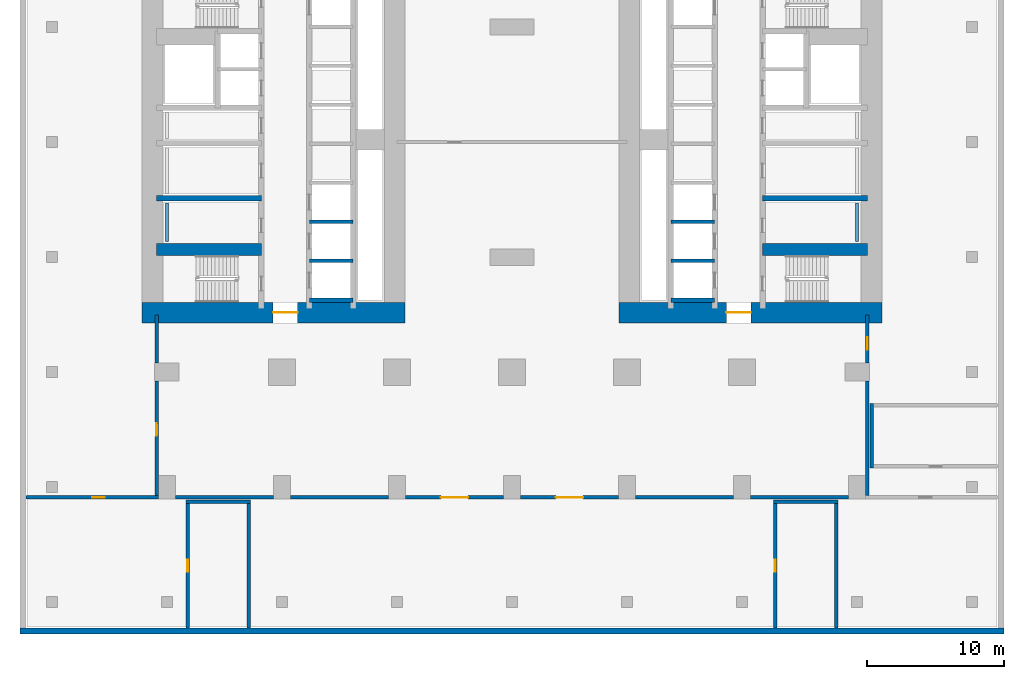
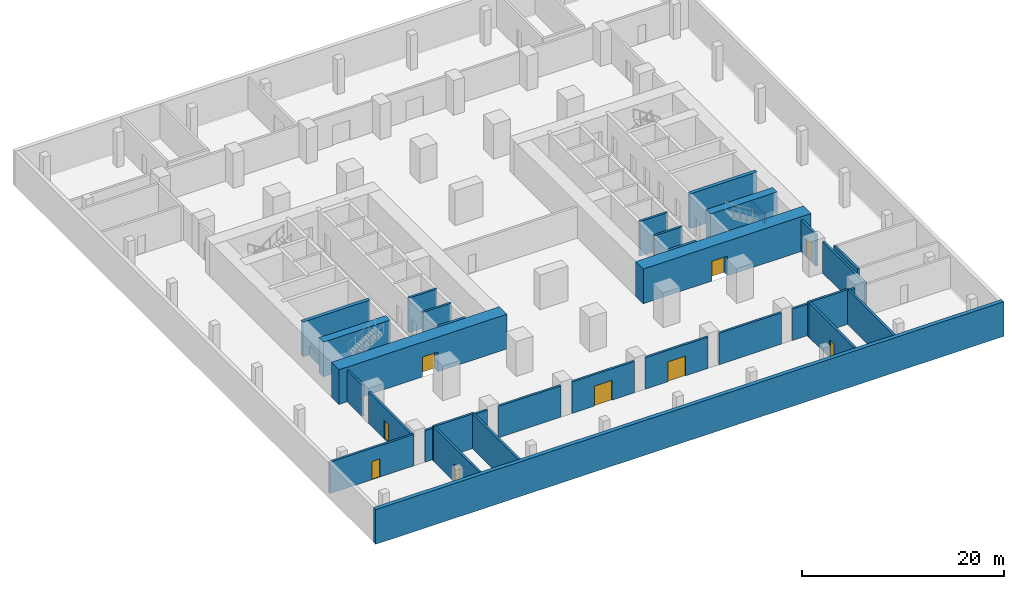
# One storey, part 2 of 8: 33 walls, 9 doors, 9 openings.
"""IFC4 building model written with IfcOpenShell, lengths in metres."""

from ifc_helpers import new_model, si_unit, direction, frame, frame_2d, origin, place, context, subcontext, project, spatial, rectangle, extrude, material, layer, layer_set, type_object, element, fill, save


model = new_model("IFC4")

# Units and contexts
model_context = context("Model", 3, precision=1e-05, world=origin(), true_north=direction((0.0, 1.0)))
body_context = subcontext(model_context, "Body", "Model", "MODEL_VIEW")
ifc_project = project(units=[si_unit("LENGTHUNIT", "METRE"), si_unit("AREAUNIT", "SQUARE_METRE"), si_unit("VOLUMEUNIT", "CUBIC_METRE"), si_unit("PLANEANGLEUNIT", "RADIAN"), si_unit("MASSUNIT", "GRAM", prefix="KILO")], contexts=[model_context])

# Site, building, storey
site_placement = place(None, origin())
site = spatial("IfcSite", under=ifc_project, at=site_placement, CompositionType="ELEMENT")
building_placement = place(site_placement, origin())
building = spatial("IfcBuilding", under=site, at=building_placement, Name="Claustro Exchange Tower", CompositionType="ELEMENT")
storey_placement = place(building_placement, frame((0.0, 0.0, -4.199951171875)))
storey = spatial("IfcBuildingStorey", under=building, at=storey_placement, Name="B1", CompositionType="ELEMENT", Elevation=-4.199951171875)

# Wall, opening, door
ifc_material_1 = material(Name="Concrete blockwork, rendered", Category="masonry")
ifc_layer_1 = layer(ifc_material_1, 0.25)
ifc_layer_set_1 = layer_set([ifc_layer_1], Name="Concrete blockwork, rendered")
wall_type_1 = type_object("IfcWallType", Name="P4 250 blockwork wall", PredefinedType="PARTITIONING", material=ifc_layer_set_1)
wall_1_placement = place(storey_placement, frame((-10.27587890625, -0.75, 0.0), z_axis=(0.0, 0.0, 1.0), x_axis=(1.0, 0.0, 0.0)))
wall_1 = element("IfcWall", 1, at=wall_1_placement, inside=storey, type_object=wall_type_1, Name="Partition P4 B1", PredefinedType="PARTITIONING", context=body_context, shape_type="SweptSolid", body=[
    extrude(rectangle(XDim=9.65185546875, YDim=0.25, at=frame_2d((4.825927734375, 0.0))), origin(), (0.0, 0.0, 1.0), 3.800048828125),
])
opening_1_placement = place(wall_1_placement, frame((4.825927734375, 0.0, 0.0)))
opening_1 = element("IfcOpeningElement", 2, at=opening_1_placement, cuts=wall_1, Name="Opening D12", PredefinedType="OPENING", context=body_context, shape_type="SweptSolid", body=[
    extrude(rectangle(XDim=0.89990234375, YDim=2.199951171875, at=frame_2d((0.449951171875, 1.10009765625))), frame((0.0, 0.135009765625, 0.0), z_axis=(0.0, -1.0, 0.0), x_axis=(1.0, 0.0, 0.0)), (0.0, 0.0, 1.0), 0.27001953125),
])
ifc_material_2 = material(Name="Steel door, painted", Category="steel")
door_type_1 = type_object("IfcDoorType", Name="D12 900 x 2200 plant and store room door", OperationType="SINGLE_SWING_LEFT", PredefinedType="DOOR", material=ifc_material_2)
door_1_placement = place(opening_1_placement, origin())
door_1 = element("IfcDoor", 3, at=door_1_placement, inside=storey, type_object=door_type_1, Name="Door D12 B1", OperationType="SINGLE_SWING_RIGHT", OverallHeight=2.199951171875, OverallWidth=0.89990234375, PredefinedType="DOOR", context=body_context, shape_type="SweptSolid", body=[
    extrude(rectangle(XDim=0.89990234375, YDim=2.199951171875, at=frame_2d((0.449951171875, 1.10009765625))), frame((0.0, 0.02490234375, 0.0), z_axis=(0.0, -1.0, 0.0), x_axis=(1.0, 0.0, 0.0)), (0.0, 0.0, 1.0), 0.050048828125),
])
fill(opening_1, door_1)

# Walls
wall_2_placement = place(storey_placement, frame((0.6240234375, -0.75, 0.0), z_axis=(0.0, 0.0, 1.0), x_axis=(1.0, 0.0, 0.0)))
element("IfcWall", 4, at=wall_2_placement, inside=storey, type_object=wall_type_1, Name="Partition P4 B1", PredefinedType="PARTITIONING", context=body_context, shape_type="SweptSolid", body=[
    extrude(rectangle(XDim=7.15185546875, YDim=0.25, at=frame_2d((3.575927734375, 0.0))), origin(), (0.0, 0.0, 1.0), 3.800048828125),
])
wall_3_placement = place(storey_placement, frame((9.02392578125, -0.75, 0.0), z_axis=(0.0, 0.0, 1.0), x_axis=(1.0, 0.0, 0.0)))
element("IfcWall", 5, at=wall_3_placement, inside=storey, type_object=wall_type_1, Name="Partition P4 B1", PredefinedType="PARTITIONING", context=body_context, shape_type="SweptSolid", body=[
    extrude(rectangle(XDim=7.152099609375, YDim=0.25, at=frame_2d((3.576171875, 0.0))), origin(), (0.0, 0.0, 1.0), 3.800048828125),
])

# Wall, opening, door
wall_4_placement = place(storey_placement, frame((17.424072265625, -0.75, 0.0), z_axis=(0.0, 0.0, 1.0), x_axis=(1.0, 0.0, 0.0)))
wall_4 = element("IfcWall", 6, at=wall_4_placement, inside=storey, type_object=wall_type_1, Name="Partition P4 B1", PredefinedType="PARTITIONING", context=body_context, shape_type="SweptSolid", body=[
    extrude(rectangle(XDim=7.15185546875, YDim=0.25, at=frame_2d((3.575927734375, 0.0))), origin(), (0.0, 0.0, 1.0), 3.800048828125),
])
opening_2_placement = place(wall_4_placement, frame((2.575927734375, 0.0, 0.0)))
opening_2 = element("IfcOpeningElement", 7, at=opening_2_placement, cuts=wall_4, Name="Opening D9", PredefinedType="OPENING", context=body_context, shape_type="SweptSolid", body=[
    extrude(rectangle(XDim=2.0, YDim=2.39990234375, at=frame_2d((1.0, 1.199951171875))), frame((0.0, 0.135009765625, 0.0), z_axis=(0.0, -1.0, 0.0), x_axis=(1.0, 0.0, 0.0)), (0.0, 0.0, 1.0), 0.27001953125),
])
ifc_material_3 = material(Name="Steel fire door, painted", Category="steel")
door_type_2 = type_object("IfcDoorType", Name="D9 2000 x 2400 plant room double door", OperationType="DOUBLE_DOOR_SINGLE_SWING", PredefinedType="DOOR", material=ifc_material_3)
door_2_placement = place(opening_2_placement, origin())
door_2 = element("IfcDoor", 8, at=door_2_placement, inside=storey, type_object=door_type_2, Name="Double door D9 B1", OperationType="DOUBLE_DOOR_SINGLE_SWING", OverallHeight=2.39990234375, OverallWidth=2.0, PredefinedType="DOOR", context=body_context, shape_type="SweptSolid", body=[
    extrude(rectangle(XDim=2.0, YDim=2.39990234375, at=frame_2d((1.0, 1.199951171875))), frame((0.0, 0.02490234375, 0.0), z_axis=(0.0, -1.0, 0.0), x_axis=(1.0, 0.0, 0.0)), (0.0, 0.0, 1.0), 0.050048828125),
])
fill(opening_2, door_2)

wall_5_placement = place(storey_placement, frame((25.823974609375, -0.75, 0.0), z_axis=(0.0, 0.0, 1.0), x_axis=(1.0, 0.0, 0.0)))
wall_5 = element("IfcWall", 9, at=wall_5_placement, inside=storey, type_object=wall_type_1, Name="Partition P4 B1", PredefinedType="PARTITIONING", context=body_context, shape_type="SweptSolid", body=[
    extrude(rectangle(XDim=7.152099609375, YDim=0.25, at=frame_2d((3.576171875, 0.0))), origin(), (0.0, 0.0, 1.0), 3.800048828125),
])
opening_3_placement = place(wall_5_placement, frame((2.575927734375, 0.0, 0.0)))
opening_3 = element("IfcOpeningElement", 10, at=opening_3_placement, cuts=wall_5, Name="Opening D9", PredefinedType="OPENING", context=body_context, shape_type="SweptSolid", body=[
    extrude(rectangle(XDim=2.0, YDim=2.39990234375, at=frame_2d((1.0, 1.199951171875))), frame((0.0, 0.135009765625, 0.0), z_axis=(0.0, -1.0, 0.0), x_axis=(1.0, 0.0, 0.0)), (0.0, 0.0, 1.0), 0.27001953125),
])
door_3_placement = place(opening_3_placement, origin())
door_3 = element("IfcDoor", 11, at=door_3_placement, inside=storey, type_object=door_type_2, Name="Double door D9 B1", OperationType="DOUBLE_DOOR_SINGLE_SWING", OverallHeight=2.39990234375, OverallWidth=2.0, PredefinedType="DOOR", context=body_context, shape_type="SweptSolid", body=[
    extrude(rectangle(XDim=2.0, YDim=2.39990234375, at=frame_2d((1.0, 1.199951171875))), frame((0.0, 0.02490234375, 0.0), z_axis=(0.0, -1.0, 0.0), x_axis=(1.0, 0.0, 0.0)), (0.0, 0.0, 1.0), 0.050048828125),
])
fill(opening_3, door_3)

# Walls
for number, where, z_axis, x_axis, name in (
    (12, (34.22412109375, -0.75, 0.0), (0.0, 0.0, 1.0), (1.0, 0.0, 0.0), "Partition P4 B1"),
    (13, (42.6240234375, -0.75, 0.0), (0.0, 0.0, 1.0), (1.0, 0.0, 0.0), "Partition P4 B1"),
):
    element("IfcWall", number, at=place(storey_placement, frame(where, z_axis=z_axis, x_axis=x_axis)), inside=storey, type_object=wall_type_1, Name=name, PredefinedType="PARTITIONING", context=body_context, shape_type="SweptSolid", body=[
        extrude(rectangle(XDim=7.15185546875, YDim=0.25, at=frame_2d((3.575927734375, 0.0))), origin(), (0.0, 0.0, 1.0), 3.800048828125),
    ])

# Wall, opening, door
wall_6_placement = place(storey_placement, frame((-0.75, -0.6259765625, 0.0), z_axis=(0.0, 0.0, 1.0), x_axis=(0.0, 1.0, 0.0)))
wall_6 = element("IfcWall", 14, at=wall_6_placement, inside=storey, type_object=wall_type_1, Name="Partition P4 B1", PredefinedType="PARTITIONING", context=body_context, shape_type="SweptSolid", body=[
    extrude(rectangle(XDim=8.376953125, YDim=0.25, at=frame_2d((4.1884765625, 0.0))), origin(), (0.0, 0.0, 1.0), 3.800048828125),
])
opening_4_placement = place(wall_6_placement, frame((4.3759765625, 0.0, 0.0)))
opening_4 = element("IfcOpeningElement", 15, at=opening_4_placement, cuts=wall_6, Name="Opening D12", PredefinedType="OPENING", context=body_context, shape_type="SweptSolid", body=[
    extrude(rectangle(XDim=0.89990234375, YDim=2.199951171875, at=frame_2d((0.449951171875, 1.10009765625))), frame((0.0, 0.135009765625, 0.0), z_axis=(0.0, -1.0, 0.0), x_axis=(1.0, 0.0, 0.0)), (0.0, 0.0, 1.0), 0.27001953125),
])
door_4_placement = place(opening_4_placement, origin())
door_4 = element("IfcDoor", 16, at=door_4_placement, inside=storey, type_object=door_type_1, Name="Door D12 B1", OperationType="SINGLE_SWING_LEFT", OverallHeight=2.199951171875, OverallWidth=0.89990234375, PredefinedType="DOOR", context=body_context, shape_type="SweptSolid", body=[
    extrude(rectangle(XDim=0.89990234375, YDim=2.199951171875, at=frame_2d((0.449951171875, 1.10009765625))), frame((0.0, 0.02490234375, 0.0), z_axis=(0.0, -1.0, 0.0), x_axis=(1.0, 0.0, 0.0)), (0.0, 0.0, 1.0), 0.050048828125),
])
fill(opening_4, door_4)

# Walls
wall_7_placement = place(storey_placement, frame((-0.75, 9.049072265625, 0.0), z_axis=(0.0, 0.0, 1.0), x_axis=(0.0, 1.0, 0.0)))
element("IfcWall", 17, at=wall_7_placement, inside=storey, type_object=wall_type_1, Name="Partition P4 B1", PredefinedType="PARTITIONING", context=body_context, shape_type="SweptSolid", body=[
    extrude(rectangle(XDim=3.531005859375, YDim=0.25, at=frame_2d((1.765625, 0.0))), origin(), (0.0, 0.0, 1.0), 3.800048828125),
])
wall_8_placement = place(storey_placement, frame((51.14990234375, -0.6259765625, 0.0), z_axis=(0.0, 0.0, 1.0), x_axis=(0.0, 1.0, 0.0)))
element("IfcWall", 18, at=wall_8_placement, inside=storey, type_object=wall_type_1, Name="Partition P4 B1", PredefinedType="PARTITIONING", context=body_context, shape_type="SweptSolid", body=[
    extrude(rectangle(XDim=8.376953125, YDim=0.25, at=frame_2d((4.1884765625, 0.0))), origin(), (0.0, 0.0, 1.0), 3.800048828125),
])

# Wall, opening, door
wall_9_placement = place(storey_placement, frame((51.14990234375, 9.049072265625, 0.0), z_axis=(0.0, 0.0, 1.0), x_axis=(0.0, 1.0, 0.0)))
wall_9 = element("IfcWall", 19, at=wall_9_placement, inside=storey, type_object=wall_type_1, Name="Partition P4 B1", PredefinedType="PARTITIONING", context=body_context, shape_type="SweptSolid", body=[
    extrude(rectangle(XDim=3.531005859375, YDim=0.25, at=frame_2d((1.765625, 0.0))), origin(), (0.0, 0.0, 1.0), 3.800048828125),
])
opening_5_placement = place(wall_9_placement, frame((1.0009765625, 0.0, 0.0)))
opening_5 = element("IfcOpeningElement", 20, at=opening_5_placement, cuts=wall_9, Name="Opening D12", PredefinedType="OPENING", context=body_context, shape_type="SweptSolid", body=[
    extrude(rectangle(XDim=0.89990234375, YDim=2.199951171875, at=frame_2d((0.449951171875, 1.10009765625))), frame((0.0, 0.135009765625, 0.0), z_axis=(0.0, -1.0, 0.0), x_axis=(1.0, 0.0, 0.0)), (0.0, 0.0, 1.0), 0.27001953125),
])
door_5_placement = place(opening_5_placement, frame((0.89990234375, 0.0, 0.0), z_axis=(0.0, 0.0, 1.0), x_axis=(-1.0, 0.0, 0.0)))
door_5 = element("IfcDoor", 21, at=door_5_placement, inside=storey, type_object=door_type_1, Name="Door D12 B1", OperationType="SINGLE_SWING_LEFT", OverallHeight=2.199951171875, OverallWidth=0.89990234375, PredefinedType="DOOR", context=body_context, shape_type="SweptSolid", body=[
    extrude(rectangle(XDim=0.89990234375, YDim=2.199951171875, at=frame_2d((0.449951171875, 1.10009765625))), frame((0.0, 0.02490234375, 0.0), z_axis=(0.0, -1.0, 0.0), x_axis=(1.0, 0.0, 0.0)), (0.0, 0.0, 1.0), 0.050048828125),
])
fill(opening_5, door_5)

# Walls
ifc_material_4 = material(Name="Gypsum board on steel studs, tiled", Category="steel")
ifc_layer_2 = layer(ifc_material_4, 0.199951171875)
ifc_layer_set_2 = layer_set([ifc_layer_2], Name="Gypsum board on steel studs, tiled")
wall_type_2 = type_object("IfcWallType", Name="PW1 200 WC duct wall", PredefinedType="PLUMBINGWALL", material=ifc_layer_set_2)
for number, where, z_axis, x_axis, name in (
    (22, (50.39990234375, 17.949951171875, 0.0), (0.0, 0.0, 1.0), (0.0, 1.0, 0.0), "WC duct wall PW1 B1"),
    (23, (0.0, 17.949951171875, 0.0), (0.0, 0.0, 1.0), (0.0, 1.0, 0.0), "WC duct wall PW1 B1"),
):
    element("IfcWall", number, at=place(storey_placement, frame(where, z_axis=z_axis, x_axis=x_axis)), inside=storey, type_object=wall_type_2, Name=name, PredefinedType="PLUMBINGWALL", context=body_context, shape_type="SweptSolid", body=[
        extrude(rectangle(XDim=2.800048828125, YDim=0.199951171875, at=frame_2d((1.39990234375, 0.0))), origin(), (0.0, 0.0, 1.0), 1.199951171875),
    ])
ifc_material_5 = material(Name="Concrete HA-40 (C40/50)", Category="concrete")
ifc_layer_3 = layer(ifc_material_5, 0.449951171875)
ifc_layer_set_3 = layer_set([ifc_layer_3], Name="Concrete HA-40 (C40/50)")
wall_type_3 = type_object("IfcWallType", Name="RW2 450 basement retaining wall", PredefinedType="SOLIDWALL", material=ifc_layer_set_3)
wall_10_placement = place(storey_placement, frame((-10.72509765625, -10.5, 0.0), z_axis=(0.0, 0.0, 1.0), x_axis=(1.0, 0.0, 0.0)))
element("IfcWall", 24, at=wall_10_placement, inside=storey, type_object=wall_type_3, Name="Retaining wall RW2 S B1", PredefinedType="SOLIDWALL", context=body_context, shape_type="SweptSolid", body=[
    extrude(rectangle(XDim=71.85009765625, YDim=0.449951171875, at=frame_2d((35.925048828125, 0.0))), origin(), (0.0, 0.0, 1.0), 4.199951171875),
])

# Wall, opening, door
ifc_material_6 = material(Name="Concrete HA-70 (C70/85)", Category="concrete")
ifc_layer_4 = layer(ifc_material_6, 1.5)
ifc_layer_set_4 = layer_set([ifc_layer_4], Name="Concrete HA-70 (C70/85)")
wall_type_4 = type_object("IfcWallType", Name="SW10 1500 core shear wall", PredefinedType="SHEAR", material=ifc_layer_set_4)
wall_11_placement = place(storey_placement, frame((-1.800048828125, 12.75, 0.0), z_axis=(0.0, 0.0, 1.0), x_axis=(1.0, 0.0, 0.0)))
wall_11 = element("IfcWall", 25, at=wall_11_placement, inside=storey, type_object=wall_type_4, Name="Core wall SW10 W core S face B1", PredefinedType="SHEAR", context=body_context, shape_type="SweptSolid", body=[
    extrude(rectangle(XDim=19.199951171875, YDim=1.5, at=frame_2d((9.60009765625, 0.0))), origin(), (0.0, 0.0, 1.0), 4.199951171875),
])
opening_6_placement = place(wall_11_placement, frame((9.550048828125, 0.0, 0.0)))
opening_6 = element("IfcOpeningElement", 26, at=opening_6_placement, cuts=wall_11, Name="Opening D3", PredefinedType="OPENING", context=body_context, shape_type="SweptSolid", body=[
    extrude(rectangle(XDim=1.800048828125, YDim=2.39990234375, at=frame_2d((0.89990234375, 1.199951171875))), frame((0.0, 0.760009765625, 0.0), z_axis=(0.0, -1.0, 0.0), x_axis=(1.0, 0.0, 0.0)), (0.0, 0.0, 1.0), 1.52001953125),
])
ifc_material_7 = material(Name="Steel fire door, painted", Category="steel")
door_type_3 = type_object("IfcDoorType", Name="D3 1800 x 2400 fire-rated lobby double door", OperationType="DOUBLE_DOOR_SINGLE_SWING", PredefinedType="DOOR", material=ifc_material_7)
door_6_placement = place(opening_6_placement, frame((1.800048828125, 0.0, 0.0), z_axis=(0.0, 0.0, 1.0), x_axis=(-1.0, 0.0, 0.0)))
door_6 = element("IfcDoor", 27, at=door_6_placement, inside=storey, type_object=door_type_3, Name="Lift lobby door D3 B1", OperationType="DOUBLE_DOOR_SINGLE_SWING", OverallHeight=2.39990234375, OverallWidth=1.800048828125, PredefinedType="DOOR", context=body_context, shape_type="SweptSolid", body=[
    extrude(rectangle(XDim=1.800048828125, YDim=2.39990234375, at=frame_2d((0.89990234375, 1.199951171875))), frame((0.0, 0.02490234375, 0.0), z_axis=(0.0, -1.0, 0.0), x_axis=(1.0, 0.0, 0.0)), (0.0, 0.0, 1.0), 0.050048828125),
])
fill(opening_6, door_6)

wall_12_placement = place(storey_placement, frame((33.0, 12.75, 0.0), z_axis=(0.0, 0.0, 1.0), x_axis=(1.0, 0.0, 0.0)))
wall_12 = element("IfcWall", 28, at=wall_12_placement, inside=storey, type_object=wall_type_4, Name="Core wall SW10 E core S face B1", PredefinedType="SHEAR", context=body_context, shape_type="SweptSolid", body=[
    extrude(rectangle(XDim=19.199951171875, YDim=1.5, at=frame_2d((9.60009765625, 0.0))), origin(), (0.0, 0.0, 1.0), 4.199951171875),
])
opening_7_placement = place(wall_12_placement, frame((7.85009765625, 0.0, 0.0)))
opening_7 = element("IfcOpeningElement", 29, at=opening_7_placement, cuts=wall_12, Name="Opening D3", PredefinedType="OPENING", context=body_context, shape_type="SweptSolid", body=[
    extrude(rectangle(XDim=1.800048828125, YDim=2.39990234375, at=frame_2d((0.89990234375, 1.199951171875))), frame((0.0, 0.760009765625, 0.0), z_axis=(0.0, -1.0, 0.0), x_axis=(1.0, 0.0, 0.0)), (0.0, 0.0, 1.0), 1.52001953125),
])
door_7_placement = place(opening_7_placement, frame((1.800048828125, 0.0, 0.0), z_axis=(0.0, 0.0, 1.0), x_axis=(-1.0, 0.0, 0.0)))
door_7 = element("IfcDoor", 30, at=door_7_placement, inside=storey, type_object=door_type_3, Name="Lift lobby door D3 B1", OperationType="DOUBLE_DOOR_SINGLE_SWING", OverallHeight=2.39990234375, OverallWidth=1.800048828125, PredefinedType="DOOR", context=body_context, shape_type="SweptSolid", body=[
    extrude(rectangle(XDim=1.800048828125, YDim=2.39990234375, at=frame_2d((0.89990234375, 1.199951171875))), frame((0.0, 0.02490234375, 0.0), z_axis=(0.0, -1.0, 0.0), x_axis=(1.0, 0.0, 0.0)), (0.0, 0.0, 1.0), 0.050048828125),
])
fill(opening_7, door_7)

# Walls
ifc_material_8 = material(Name="Concrete HA-70 (C70/85)", Category="concrete")
ifc_layer_5 = layer(ifc_material_8, 0.39990234375)
ifc_layer_set_5 = layer_set([ifc_layer_5], Name="Concrete HA-70 (C70/85)")
wall_type_5 = type_object("IfcWallType", Name="SW4B 400 internal core wall HA-70", PredefinedType="SHEAR", material=ifc_layer_set_5)
for number, where, z_axis, x_axis, name in (
    (31, (-0.75, 21.10009765625, 0.0), (0.0, 0.0, 1.0), (1.0, 0.0, 0.0), "Internal core wall SW4 W core B1"),
    (32, (51.14990234375, 21.10009765625, 0.0), (0.0, 0.0, 1.0), (-1.0, 0.0, 0.0), "Internal core wall SW4 E core B1"),
):
    element("IfcWall", number, at=place(storey_placement, frame(where, z_axis=z_axis, x_axis=x_axis)), inside=storey, type_object=wall_type_5, Name=name, PredefinedType="SHEAR", context=body_context, shape_type="SweptSolid", body=[
        extrude(rectangle(XDim=7.64990234375, YDim=0.39990234375, at=frame_2d((3.824951171875, 0.0))), origin(), (0.0, 0.0, 1.0), 4.199951171875),
    ])
ifc_material_9 = material(Name="Concrete HA-50 (C50/60)", Category="concrete")
ifc_layer_6 = layer(ifc_material_9, 0.25)
ifc_layer_set_6 = layer_set([ifc_layer_6], Name="Concrete HA-50 (C50/60)")
wall_type_6 = type_object("IfcWallType", Name="SW5 250 lift shaft divider wall", PredefinedType="SHEAR", material=ifc_layer_set_6)
for number, where, z_axis, x_axis, name in (
    (33, (10.39990234375, 16.52490234375, 0.0), (0.0, 0.0, 1.0), (1.0, 0.0, 0.0), "Lift shaft wall W core B1"),
    (34, (10.39990234375, 19.375, 0.0), (0.0, 0.0, 1.0), (1.0, 0.0, 0.0), "Lift shaft wall W core B1"),
):
    element("IfcWall", number, at=place(storey_placement, frame(where, z_axis=z_axis, x_axis=x_axis)), inside=storey, type_object=wall_type_6, Name=name, PredefinedType="SHEAR", context=body_context, shape_type="SweptSolid", body=[
        extrude(rectangle(XDim=3.2001953125, YDim=0.25, at=frame_2d((1.60009765625, 0.0))), origin(), (0.0, 0.0, 1.0), 4.199951171875),
    ])
for number, where, z_axis, x_axis, name in (
    (35, (40.0, 16.52490234375, 0.0), (0.0, 0.0, 1.0), (-1.0, 0.0, 0.0), "Lift shaft wall E core B1"),
    (36, (40.0, 19.375, 0.0), (0.0, 0.0, 1.0), (-1.0, 0.0, 0.0), "Lift shaft wall E core B1"),
):
    element("IfcWall", number, at=place(storey_placement, frame(where, z_axis=z_axis, x_axis=x_axis)), inside=storey, type_object=wall_type_6, Name=name, PredefinedType="SHEAR", context=body_context, shape_type="SweptSolid", body=[
        extrude(rectangle(XDim=3.199951171875, YDim=0.25, at=frame_2d((1.60009765625, 0.0))), origin(), (0.0, 0.0, 1.0), 4.199951171875),
    ])
ifc_material_10 = material(Name="Concrete HA-50 (C50/60)", Category="concrete")
ifc_layer_7 = layer(ifc_material_10, 0.300048828125)
ifc_layer_set_7 = layer_set([ifc_layer_7], Name="Concrete HA-50 (C50/60)")
wall_type_7 = type_object("IfcWallType", Name="SW6A 300 lift shaft end wall", PredefinedType="SHEAR", material=ifc_layer_set_7)
wall_13_placement = place(storey_placement, frame((10.39990234375, 13.64990234375, 0.0), z_axis=(0.0, 0.0, 1.0), x_axis=(1.0, 0.0, 0.0)))
element("IfcWall", 37, at=wall_13_placement, inside=storey, type_object=wall_type_7, Name="Lift shaft wall W core B1", PredefinedType="SHEAR", context=body_context, shape_type="SweptSolid", body=[
    extrude(rectangle(XDim=3.2001953125, YDim=0.300048828125, at=frame_2d((1.60009765625, 0.0))), origin(), (0.0, 0.0, 1.0), 4.199951171875),
])
wall_14_placement = place(storey_placement, frame((40.0, 13.64990234375, 0.0), z_axis=(0.0, 0.0, 1.0), x_axis=(-1.0, 0.0, 0.0)))
element("IfcWall", 38, at=wall_14_placement, inside=storey, type_object=wall_type_7, Name="Lift shaft wall E core B1", PredefinedType="SHEAR", context=body_context, shape_type="SweptSolid", body=[
    extrude(rectangle(XDim=3.199951171875, YDim=0.300048828125, at=frame_2d((1.60009765625, 0.0))), origin(), (0.0, 0.0, 1.0), 4.199951171875),
])

# Wall, opening, door
ifc_material_11 = material(Name="Concrete HA-40 (C40/50)", Category="concrete")
ifc_layer_8 = layer(ifc_material_11, 0.25)
ifc_layer_set_8 = layer_set([ifc_layer_8], Name="Concrete HA-40 (C40/50)")
wall_type_8 = type_object("IfcWallType", Name="SW7 250 reinforced concrete stair wall", PredefinedType="SOLIDWALL", material=ifc_layer_set_8)
wall_15_placement = place(storey_placement, frame((1.52490234375, -10.277099609375, 0.0), z_axis=(0.0, 0.0, 1.0), x_axis=(0.0, 1.0, 0.0)))
wall_15 = element("IfcWall", 39, at=wall_15_placement, inside=storey, type_object=wall_type_8, Name="Stair enclosure wall STP1 SW7 B1", PredefinedType="SOLIDWALL", context=body_context, shape_type="SweptSolid", body=[
    extrude(rectangle(XDim=9.0771484375, YDim=0.25, at=frame_2d((4.53857421875, 0.0))), origin(), (0.0, 0.0, 1.0), 4.199951171875),
])
opening_8_placement = place(wall_15_placement, frame((4.08740234375, 0.0, 0.0)))
opening_8 = element("IfcOpeningElement", 40, at=opening_8_placement, cuts=wall_15, Name="Opening D12", PredefinedType="OPENING", context=body_context, shape_type="SweptSolid", body=[
    extrude(rectangle(XDim=0.89990234375, YDim=2.199951171875, at=frame_2d((0.449951171875, 1.10009765625))), frame((0.0, 0.135009765625, 0.0), z_axis=(0.0, -1.0, 0.0), x_axis=(1.0, 0.0, 0.0)), (0.0, 0.0, 1.0), 0.27001953125),
])
door_8_placement = place(opening_8_placement, frame((0.89990234375, 0.0, 0.0), z_axis=(0.0, 0.0, 1.0), x_axis=(-1.0, 0.0, 0.0)))
door_8 = element("IfcDoor", 41, at=door_8_placement, inside=storey, type_object=door_type_1, Name="Store door STP1 D12 B1", OperationType="SINGLE_SWING_RIGHT", OverallHeight=2.199951171875, OverallWidth=0.89990234375, PredefinedType="DOOR", context=body_context, shape_type="SweptSolid", body=[
    extrude(rectangle(XDim=0.89990234375, YDim=2.199951171875, at=frame_2d((0.449951171875, 1.10009765625))), frame((0.0, 0.02490234375, 0.0), z_axis=(0.0, -1.0, 0.0), x_axis=(1.0, 0.0, 0.0)), (0.0, 0.0, 1.0), 0.050048828125),
])
fill(opening_8, door_8)

# Walls
wall_16_placement = place(storey_placement, frame((5.97509765625, -10.277099609375, 0.0), z_axis=(0.0, 0.0, 1.0), x_axis=(0.0, 1.0, 0.0)))
element("IfcWall", 42, at=wall_16_placement, inside=storey, type_object=wall_type_8, Name="Stair enclosure wall STP1 SW7 B1", PredefinedType="SOLIDWALL", context=body_context, shape_type="SweptSolid", body=[
    extrude(rectangle(XDim=9.0771484375, YDim=0.25, at=frame_2d((4.53857421875, 0.0))), origin(), (0.0, 0.0, 1.0), 4.199951171875),
])
wall_17_placement = place(storey_placement, frame((1.39990234375, -1.074951171875, 0.0), z_axis=(0.0, 0.0, 1.0), x_axis=(1.0, 0.0, 0.0)))
element("IfcWall", 43, at=wall_17_placement, inside=storey, type_object=wall_type_8, Name="Stair enclosure wall STP1 SW7 B1", PredefinedType="SOLIDWALL", context=body_context, shape_type="SweptSolid", body=[
    extrude(rectangle(XDim=4.7001953125, YDim=0.25, at=frame_2d((2.35009765625, 0.0))), origin(), (0.0, 0.0, 1.0), 4.199951171875),
])

# Wall, opening, door
wall_18_placement = place(storey_placement, frame((44.425048828125, -10.277099609375, 0.0), z_axis=(0.0, 0.0, 1.0), x_axis=(0.0, 1.0, 0.0)))
wall_18 = element("IfcWall", 44, at=wall_18_placement, inside=storey, type_object=wall_type_8, Name="Stair enclosure wall STP2 SW7 B1", PredefinedType="SOLIDWALL", context=body_context, shape_type="SweptSolid", body=[
    extrude(rectangle(XDim=9.0771484375, YDim=0.25, at=frame_2d((4.53857421875, 0.0))), origin(), (0.0, 0.0, 1.0), 4.199951171875),
])
opening_9_placement = place(wall_18_placement, frame((4.08740234375, 0.0, 0.0)))
opening_9 = element("IfcOpeningElement", 45, at=opening_9_placement, cuts=wall_18, Name="Opening D12", PredefinedType="OPENING", context=body_context, shape_type="SweptSolid", body=[
    extrude(rectangle(XDim=0.89990234375, YDim=2.199951171875, at=frame_2d((0.449951171875, 1.10009765625))), frame((0.0, 0.135009765625, 0.0), z_axis=(0.0, -1.0, 0.0), x_axis=(1.0, 0.0, 0.0)), (0.0, 0.0, 1.0), 0.27001953125),
])
door_9_placement = place(opening_9_placement, frame((0.89990234375, 0.0, 0.0), z_axis=(0.0, 0.0, 1.0), x_axis=(-1.0, 0.0, 0.0)))
door_9 = element("IfcDoor", 46, at=door_9_placement, inside=storey, type_object=door_type_1, Name="Store door STP2 D12 B1", OperationType="SINGLE_SWING_RIGHT", OverallHeight=2.199951171875, OverallWidth=0.89990234375, PredefinedType="DOOR", context=body_context, shape_type="SweptSolid", body=[
    extrude(rectangle(XDim=0.89990234375, YDim=2.199951171875, at=frame_2d((0.449951171875, 1.10009765625))), frame((0.0, 0.02490234375, 0.0), z_axis=(0.0, -1.0, 0.0), x_axis=(1.0, 0.0, 0.0)), (0.0, 0.0, 1.0), 0.050048828125),
])
fill(opening_9, door_9)

# Walls
wall_19_placement = place(storey_placement, frame((48.875, -10.277099609375, 0.0), z_axis=(0.0, 0.0, 1.0), x_axis=(0.0, 1.0, 0.0)))
element("IfcWall", 47, at=wall_19_placement, inside=storey, type_object=wall_type_8, Name="Stair enclosure wall STP2 SW7 B1", PredefinedType="SOLIDWALL", context=body_context, shape_type="SweptSolid", body=[
    extrude(rectangle(XDim=9.0771484375, YDim=0.25, at=frame_2d((4.53857421875, 0.0))), origin(), (0.0, 0.0, 1.0), 4.199951171875),
])
wall_20_placement = place(storey_placement, frame((44.300048828125, -1.074951171875, 0.0), z_axis=(0.0, 0.0, 1.0), x_axis=(1.0, 0.0, 0.0)))
element("IfcWall", 48, at=wall_20_placement, inside=storey, type_object=wall_type_8, Name="Stair enclosure wall STP2 SW7 B1", PredefinedType="SOLIDWALL", context=body_context, shape_type="SweptSolid", body=[
    extrude(rectangle(XDim=4.699951171875, YDim=0.25, at=frame_2d((2.35009765625, 0.0))), origin(), (0.0, 0.0, 1.0), 4.199951171875),
])
wall_21_placement = place(storey_placement, frame((51.47509765625, 1.39990234375, 0.0), z_axis=(0.0, 0.0, 1.0), x_axis=(0.0, 1.0, 0.0)))
element("IfcWall", 49, at=wall_21_placement, inside=storey, type_object=wall_type_8, Name="Stair enclosure wall STP6 SW7 B1", PredefinedType="SOLIDWALL", context=body_context, shape_type="SweptSolid", body=[
    extrude(rectangle(XDim=4.7001953125, YDim=0.25, at=frame_2d((2.35009765625, 0.0))), origin(), (0.0, 0.0, 1.0), 4.199951171875),
])
ifc_material_12 = material(Name="Concrete HA-70 (C70/85)", Category="concrete")
ifc_layer_9 = layer(ifc_material_12, 0.89990234375)
ifc_layer_set_9 = layer_set([ifc_layer_9], Name="Concrete HA-70 (C70/85)")
wall_type_9 = type_object("IfcWallType", Name="SW8 900 internal core wall, core base", PredefinedType="SHEAR", material=ifc_layer_set_9)
for number, where, z_axis, x_axis, name in (
    (50, (-0.75, 17.35009765625, 0.0), (0.0, 0.0, 1.0), (1.0, 0.0, 0.0), "Internal core wall W core B1"),
    (51, (51.14990234375, 17.35009765625, 0.0), (0.0, 0.0, 1.0), (-1.0, 0.0, 0.0), "Internal core wall E core B1"),
):
    element("IfcWall", number, at=place(storey_placement, frame(where, z_axis=z_axis, x_axis=x_axis)), inside=storey, type_object=wall_type_9, Name=name, PredefinedType="SHEAR", context=body_context, shape_type="SweptSolid", body=[
        extrude(rectangle(XDim=7.64990234375, YDim=0.89990234375, at=frame_2d((3.824951171875, 0.0))), origin(), (0.0, 0.0, 1.0), 4.199951171875),
    ])

save(model, "model.ifc")
